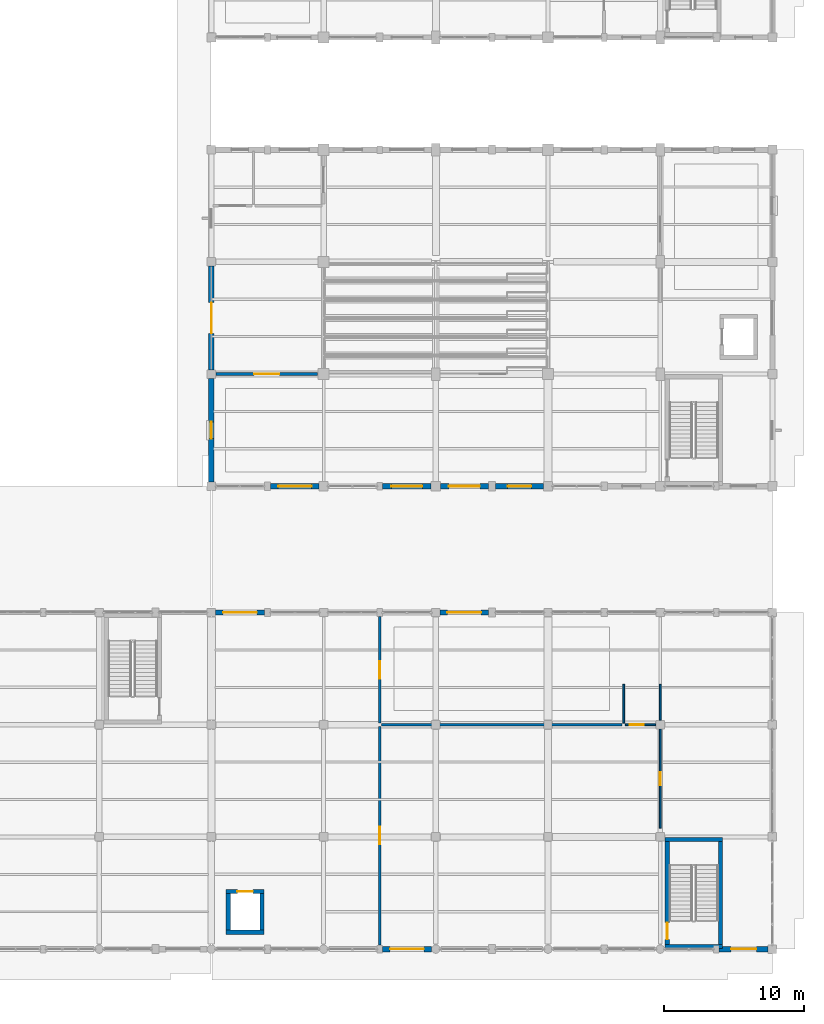
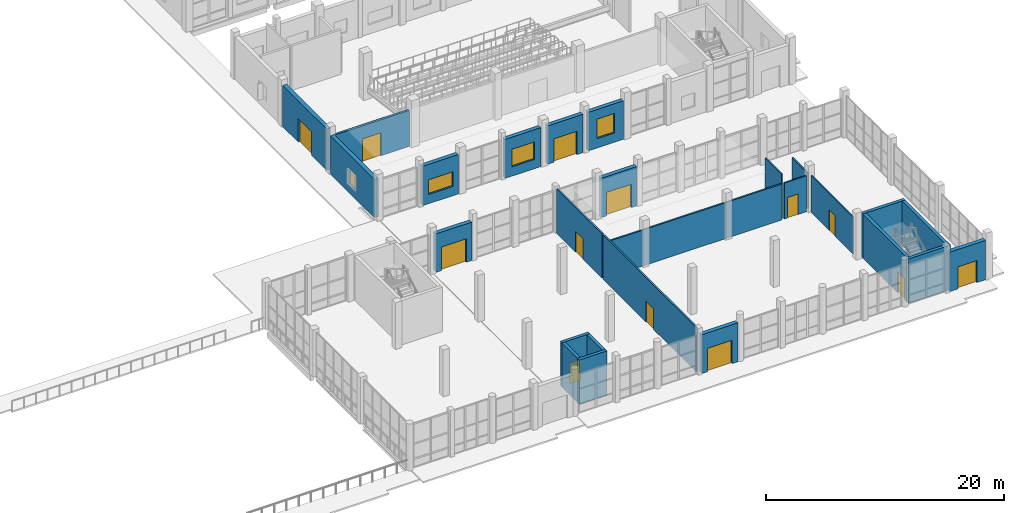
# One storey, part 128 of 156: 26 walls, 13 doors, 4 windows, 17 openings.
"""IFC4 building model written with IfcOpenShell, lengths in metres."""

from ifc_helpers import new_model, si_unit, direction, frame, frame_2d, origin, place, context, subcontext, project, spatial, rectangle, extrude, material, layer, layer_set, type_object, element, fill, save


model = new_model("IFC4")

# Units and contexts
model_context = context("Model", 3, precision=1e-05, world=origin(), true_north=direction((0.0, 1.0)))
body_context = subcontext(model_context, "Body", "Model", "MODEL_VIEW")
ifc_project = project(units=[si_unit("LENGTHUNIT", "METRE"), si_unit("AREAUNIT", "SQUARE_METRE"), si_unit("VOLUMEUNIT", "CUBIC_METRE"), si_unit("PLANEANGLEUNIT", "RADIAN"), si_unit("MASSUNIT", "GRAM", prefix="KILO")], contexts=[model_context])

# Site, building, storey
site_placement = place(None, origin())
site = spatial("IfcSite", under=ifc_project, at=site_placement, CompositionType="ELEMENT")
building_placement = place(site_placement, origin())
building = spatial("IfcBuilding", under=site, at=building_placement, Name="Luwemba Playhouse", CompositionType="ELEMENT")
storey_placement = place(building_placement, origin())
storey = spatial("IfcBuildingStorey", under=building, at=storey_placement, Name="L00", CompositionType="ELEMENT", Elevation=0.0)

# Wall, opening, window
ifc_material_1 = material(Name="Clay facing brick obra vista masonry", Category="masonry")
ifc_layer_1 = layer(ifc_material_1, 0.3798828125)
ifc_layer_set_1 = layer_set([ifc_layer_1], Name="Clay facing brick obra vista masonry")
wall_type_1 = type_object("IfcWallType", Name="WAL-BRK-380", PredefinedType="SOLIDWALL", material=ifc_layer_set_1)
wall_1_placement = place(storey_placement, frame((132.0, 36.300048828125, 0.0), z_axis=(0.0, 0.0, 1.0), x_axis=(0.0, 1.0, 0.0)))
wall_1 = element("IfcWall", 1, at=wall_1_placement, inside=storey, type_object=wall_type_1, Name="L00 V3 exterior facade wall 0028", PredefinedType="SOLIDWALL", context=body_context, shape_type="SweptSolid", body=[
    extrude(rectangle(XDim=7.39990234375, YDim=0.3798828125, at=frame_2d((3.699951171875, 0.0))), origin(), (0.0, 0.0, 1.0), 3.93505859375),
])
opening_1_placement = place(wall_1_placement, frame((3.10009765625, 0.0, 0.949951171875)))
opening_1 = element("IfcOpeningElement", 2, at=opening_1_placement, cuts=wall_1, Name="Opening WN-08", PredefinedType="OPENING", context=body_context, shape_type="SweptSolid", body=[
    extrude(rectangle(XDim=1.199951171875, YDim=1.5, at=frame_2d((0.60009765625, 0.75))), frame((0.0, 0.199951171875, 0.0), z_axis=(0.0, -1.0, 0.0), x_axis=(1.0, 0.0, 0.0)), (0.0, 0.0, 1.0), 0.39990234375),
])
ifc_material_2 = material(Name="Solar-control double glazing in aluminium frame", Category="aluminium")
window_type_1 = type_object("IfcWindowType", Name="WIN-WN-08", PartitioningType="SINGLE_PANEL", PredefinedType="WINDOW", material=ifc_material_2)
window_1_placement = place(opening_1_placement, origin())
window_1 = element("IfcWindow", 3, at=window_1_placement, inside=storey, type_object=window_type_1, Name="L00 V3 scheduled window 0013", OverallHeight=1.5, OverallWidth=1.199951171875, PartitioningType="SINGLE_PANEL", PredefinedType="WINDOW", context=body_context, shape_type="SweptSolid", body=[
    extrude(rectangle(XDim=1.199951171875, YDim=1.5, at=frame_2d((0.60009765625, 0.75))), frame((0.0, 0.030029296875, 0.0), z_axis=(0.0, -1.0, 0.0), x_axis=(1.0, 0.0, 0.0)), (0.0, 0.0, 1.0), 0.06005859375),
])
fill(opening_1, window_1)

# Wall, opening, door
wall_2_placement = place(storey_placement, frame((132.0, 44.300048828125, 0.0), z_axis=(0.0, 0.0, 1.0), x_axis=(0.0, 1.0, 0.0)))
wall_2 = element("IfcWall", 4, at=wall_2_placement, inside=storey, type_object=wall_type_1, Name="L00 V3 exterior facade wall 0029", PredefinedType="SOLIDWALL", context=body_context, shape_type="SweptSolid", body=[
    extrude(rectangle(XDim=7.39990234375, YDim=0.3798828125, at=frame_2d((3.699951171875, 0.0))), origin(), (0.0, 0.0, 1.0), 4.235107421875),
])
opening_2_placement = place(wall_2_placement, frame((2.60009765625, 0.0, 0.0)))
opening_2 = element("IfcOpeningElement", 5, at=opening_2_placement, cuts=wall_2, Name="Opening E10", PredefinedType="OPENING", context=body_context, shape_type="SweptSolid", body=[
    extrude(rectangle(XDim=2.199951171875, YDim=2.39990234375, at=frame_2d((1.10009765625, 1.199951171875))), frame((0.0, 0.199951171875, 0.0), z_axis=(0.0, -1.0, 0.0), x_axis=(1.0, 0.0, 0.0)), (0.0, 0.0, 1.0), 0.39990234375),
])
ifc_material_3 = material(Name="Architectural bronze-anodised aluminium and glazed leaf", Category="aluminium")
door_type_1 = type_object("IfcDoorType", Name="DR-EXIT-220", OperationType="NOTDEFINED", PredefinedType="DOOR", material=ifc_material_3)
door_1_placement = place(opening_2_placement, origin())
door_1 = element("IfcDoor", 6, at=door_1_placement, inside=storey, type_object=door_type_1, Name="Studio Theatre cloister final exit E10", OperationType="DOUBLE_DOOR_SINGLE_SWING", OverallHeight=2.39990234375, OverallWidth=2.199951171875, PredefinedType="DOOR", context=body_context, shape_type="SweptSolid", body=[
    extrude(rectangle(XDim=2.199951171875, YDim=2.39990234375, at=frame_2d((1.10009765625, 1.199951171875))), frame((0.0, 0.02490234375, 0.0), z_axis=(0.0, -1.0, 0.0), x_axis=(1.0, 0.0, 0.0)), (0.0, 0.0, 1.0), 0.050048828125),
])
fill(opening_2, door_1)

# Wall, opening, window
wall_3_placement = place(storey_placement, frame((155.675048828125, 36.0, 0.0), z_axis=(0.0, 0.0, 1.0), x_axis=(-1.0, 0.0, 0.0)))
wall_3 = element("IfcWall", 7, at=wall_3_placement, inside=storey, type_object=wall_type_1, Name="L00 V3 exterior facade wall 0046", PredefinedType="SOLIDWALL", context=body_context, shape_type="SweptSolid", body=[
    extrude(rectangle(XDim=3.425048828125, YDim=0.3798828125, at=frame_2d((1.71240234375, 0.0))), origin(), (0.0, 0.0, 1.0), 3.93505859375),
])
opening_3_placement = place(wall_3_placement, frame((0.862548828125, 0.0, 0.949951171875)))
opening_3 = element("IfcOpeningElement", 8, at=opening_3_placement, cuts=wall_3, Name="Opening WN-20", PredefinedType="OPENING", context=body_context, shape_type="SweptSolid", body=[
    extrude(rectangle(XDim=1.699951171875, YDim=2.0, at=frame_2d((0.85009765625, 1.0))), frame((0.0, 0.199951171875, 0.0), z_axis=(0.0, -1.0, 0.0), x_axis=(1.0, 0.0, 0.0)), (0.0, 0.0, 1.0), 0.39990234375),
])
window_type_2 = type_object("IfcWindowType", Name="WIN-WN-20", PartitioningType="DOUBLE_PANEL_VERTICAL", PredefinedType="WINDOW", material=ifc_material_2)
window_2_placement = place(opening_3_placement, origin())
window_2 = element("IfcWindow", 9, at=window_2_placement, inside=storey, type_object=window_type_2, Name="L00 V3 scheduled window 0028", OverallHeight=2.0, OverallWidth=1.699951171875, PartitioningType="DOUBLE_PANEL_VERTICAL", PredefinedType="WINDOW", context=body_context, shape_type="SweptSolid", body=[
    extrude(rectangle(XDim=1.699951171875, YDim=2.0, at=frame_2d((0.85009765625, 1.0))), frame((0.0, 0.030029296875, 0.0), z_axis=(0.0, -1.0, 0.0), x_axis=(1.0, 0.0, 0.0)), (0.0, 0.0, 1.0), 0.06005859375),
])
fill(opening_3, window_2)

# Wall, opening, door
wall_4_placement = place(storey_placement, frame((151.75, 36.0, 0.0), z_axis=(0.0, 0.0, 1.0), x_axis=(-1.0, 0.0, 0.0)))
wall_4 = element("IfcWall", 10, at=wall_4_placement, inside=storey, type_object=wall_type_1, Name="L00 V3 exterior facade wall 0047", PredefinedType="SOLIDWALL", context=body_context, shape_type="SweptSolid", body=[
    extrude(rectangle(XDim=3.425048828125, YDim=0.3798828125, at=frame_2d((1.71240234375, 0.0))), origin(), (0.0, 0.0, 1.0), 3.93505859375),
])
opening_4_placement = place(wall_4_placement, frame((0.612548828125, 0.0, 0.0)))
opening_4 = element("IfcOpeningElement", 11, at=opening_4_placement, cuts=wall_4, Name="Opening E11", PredefinedType="OPENING", context=body_context, shape_type="SweptSolid", body=[
    extrude(rectangle(XDim=2.199951171875, YDim=2.39990234375, at=frame_2d((1.10009765625, 1.199951171875))), frame((0.0, 0.199951171875, 0.0), z_axis=(0.0, -1.0, 0.0), x_axis=(1.0, 0.0, 0.0)), (0.0, 0.0, 1.0), 0.39990234375),
])
door_2_placement = place(opening_4_placement, origin())
door_2 = element("IfcDoor", 12, at=door_2_placement, inside=storey, type_object=door_type_1, Name="Studio Theatre south final exit E11", OperationType="DOUBLE_DOOR_SINGLE_SWING", OverallHeight=2.39990234375, OverallWidth=2.199951171875, PredefinedType="DOOR", context=body_context, shape_type="SweptSolid", body=[
    extrude(rectangle(XDim=2.199951171875, YDim=2.39990234375, at=frame_2d((1.10009765625, 1.199951171875))), frame((0.0, 0.02490234375, 0.0), z_axis=(0.0, -1.0, 0.0), x_axis=(1.0, 0.0, 0.0)), (0.0, 0.0, 1.0), 0.050048828125),
])
fill(opening_4, door_2)

# Wall, opening, window
wall_5_placement = place(storey_placement, frame((147.675048828125, 36.0, 0.0), z_axis=(0.0, 0.0, 1.0), x_axis=(-1.0, 0.0, 0.0)))
wall_5 = element("IfcWall", 13, at=wall_5_placement, inside=storey, type_object=wall_type_1, Name="L00 V3 exterior facade wall 0048", PredefinedType="SOLIDWALL", context=body_context, shape_type="SweptSolid", body=[
    extrude(rectangle(XDim=3.47509765625, YDim=0.3798828125, at=frame_2d((1.737548828125, 0.0))), origin(), (0.0, 0.0, 1.0), 3.985107421875),
])
opening_5_placement = place(wall_5_placement, frame((0.637451171875, 0.0, 0.949951171875)))
opening_5 = element("IfcOpeningElement", 14, at=opening_5_placement, cuts=wall_5, Name="Opening WN-06", PredefinedType="OPENING", context=body_context, shape_type="SweptSolid", body=[
    extrude(rectangle(XDim=2.199951171875, YDim=1.800048828125, at=frame_2d((1.10009765625, 0.89990234375))), frame((0.0, 0.199951171875, 0.0), z_axis=(0.0, -1.0, 0.0), x_axis=(1.0, 0.0, 0.0)), (0.0, 0.0, 1.0), 0.39990234375),
])
window_type_3 = type_object("IfcWindowType", Name="WIN-WN-06", PartitioningType="TRIPLE_PANEL_VERTICAL", PredefinedType="WINDOW", material=ifc_material_2)
window_3_placement = place(opening_5_placement, origin())
window_3 = element("IfcWindow", 15, at=window_3_placement, inside=storey, type_object=window_type_3, Name="L00 V3 scheduled window 0029", OverallHeight=1.800048828125, OverallWidth=2.199951171875, PartitioningType="TRIPLE_PANEL_VERTICAL", PredefinedType="WINDOW", context=body_context, shape_type="SweptSolid", body=[
    extrude(rectangle(XDim=2.199951171875, YDim=1.800048828125, at=frame_2d((1.10009765625, 0.89990234375))), frame((0.0, 0.030029296875, 0.0), z_axis=(0.0, -1.0, 0.0), x_axis=(1.0, 0.0, 0.0)), (0.0, 0.0, 1.0), 0.06005859375),
])
fill(opening_5, window_3)

wall_6_placement = place(storey_placement, frame((139.675048828125, 36.0, 0.0), z_axis=(0.0, 0.0, 1.0), x_axis=(-1.0, 0.0, 0.0)))
wall_6 = element("IfcWall", 16, at=wall_6_placement, inside=storey, type_object=wall_type_1, Name="L00 V3 exterior facade wall 0049", PredefinedType="SOLIDWALL", context=body_context, shape_type="SweptSolid", body=[
    extrude(rectangle(XDim=3.449951171875, YDim=0.3798828125, at=frame_2d((1.72509765625, 0.0))), origin(), (0.0, 0.0, 1.0), 4.034912109375),
])
opening_6_placement = place(wall_6_placement, frame((0.52490234375, 0.0, 0.949951171875)))
opening_6 = element("IfcOpeningElement", 17, at=opening_6_placement, cuts=wall_6, Name="Opening WN-12", PredefinedType="OPENING", context=body_context, shape_type="SweptSolid", body=[
    extrude(rectangle(XDim=2.39990234375, YDim=1.5, at=frame_2d((1.199951171875, 0.75))), frame((0.0, 0.199951171875, 0.0), z_axis=(0.0, -1.0, 0.0), x_axis=(1.0, 0.0, 0.0)), (0.0, 0.0, 1.0), 0.39990234375),
])
window_type_4 = type_object("IfcWindowType", Name="WIN-WN-12", PartitioningType="TRIPLE_PANEL_VERTICAL", PredefinedType="WINDOW", material=ifc_material_2)
window_4_placement = place(opening_6_placement, origin())
window_4 = element("IfcWindow", 18, at=window_4_placement, inside=storey, type_object=window_type_4, Name="L00 V3 scheduled window 0030", OverallHeight=1.5, OverallWidth=2.39990234375, PartitioningType="TRIPLE_PANEL_VERTICAL", PredefinedType="WINDOW", context=body_context, shape_type="SweptSolid", body=[
    extrude(rectangle(XDim=2.39990234375, YDim=1.5, at=frame_2d((1.199951171875, 0.75))), frame((0.0, 0.030029296875, 0.0), z_axis=(0.0, -1.0, 0.0), x_axis=(1.0, 0.0, 0.0)), (0.0, 0.0, 1.0), 0.06005859375),
])
fill(opening_6, window_4)

# Wall, opening, door
wall_7_placement = place(storey_placement, frame((132.300048828125, 27.0, 0.0), z_axis=(0.0, 0.0, 1.0), x_axis=(1.0, 0.0, 0.0)))
wall_7 = element("IfcWall", 19, at=wall_7_placement, inside=storey, type_object=wall_type_1, Name="L00 V5E exterior facade wall 0075", PredefinedType="SOLIDWALL", context=body_context, shape_type="SweptSolid", body=[
    extrude(rectangle(XDim=3.474853515625, YDim=0.3798828125, at=frame_2d((1.7373046875, 0.0))), origin(), (0.0, 0.0, 1.0), 3.93505859375),
])
opening_7_placement = place(wall_7_placement, frame((0.53759765625, 0.0, 0.0)))
opening_7 = element("IfcOpeningElement", 20, at=opening_7_placement, cuts=wall_7, Name="Opening E26", PredefinedType="OPENING", context=body_context, shape_type="SweptSolid", body=[
    extrude(rectangle(XDim=2.39990234375, YDim=2.39990234375, at=frame_2d((1.199951171875, 1.199951171875))), frame((0.0, 0.199951171875, 0.0), z_axis=(0.0, -1.0, 0.0), x_axis=(1.0, 0.0, 0.0)), (0.0, 0.0, 1.0), 0.39990234375),
])
door_type_2 = type_object("IfcDoorType", Name="DR-EXIT-240", OperationType="NOTDEFINED", PredefinedType="DOOR", material=ifc_material_3)
door_3_placement = place(opening_7_placement, origin())
door_3 = element("IfcDoor", 21, at=door_3_placement, inside=storey, type_object=door_type_2, Name="Civic Cafe north cloister final exit E26", OperationType="DOUBLE_DOOR_SINGLE_SWING", OverallHeight=2.39990234375, OverallWidth=2.39990234375, PredefinedType="DOOR", context=body_context, shape_type="SweptSolid", body=[
    extrude(rectangle(XDim=2.39990234375, YDim=2.39990234375, at=frame_2d((1.199951171875, 1.199951171875))), frame((0.0, 0.02490234375, 0.0), z_axis=(0.0, -1.0, 0.0), x_axis=(1.0, 0.0, 0.0)), (0.0, 0.0, 1.0), 0.050048828125),
])
fill(opening_7, door_3)

wall_8_placement = place(storey_placement, frame((148.300048828125, 27.0, 0.0), z_axis=(0.0, 0.0, 1.0), x_axis=(1.0, 0.0, 0.0)))
wall_8 = element("IfcWall", 22, at=wall_8_placement, inside=storey, type_object=wall_type_1, Name="L00 V5E exterior facade wall 0076", PredefinedType="SOLIDWALL", context=body_context, shape_type="SweptSolid", body=[
    extrude(rectangle(XDim=3.449951171875, YDim=0.3798828125, at=frame_2d((1.72509765625, 0.0))), origin(), (0.0, 0.0, 1.0), 4.034912109375),
])
opening_8_placement = place(wall_8_placement, frame((0.52490234375, 0.0, 0.0)))
opening_8 = element("IfcOpeningElement", 23, at=opening_8_placement, cuts=wall_8, Name="Opening E27", PredefinedType="OPENING", context=body_context, shape_type="SweptSolid", body=[
    extrude(rectangle(XDim=2.39990234375, YDim=2.39990234375, at=frame_2d((1.199951171875, 1.199951171875))), frame((0.0, 0.199951171875, 0.0), z_axis=(0.0, -1.0, 0.0), x_axis=(1.0, 0.0, 0.0)), (0.0, 0.0, 1.0), 0.39990234375),
])
door_4_placement = place(opening_8_placement, origin())
door_4 = element("IfcDoor", 24, at=door_4_placement, inside=storey, type_object=door_type_2, Name="Bookshop north cloister final exit E27", OperationType="DOUBLE_DOOR_SINGLE_SWING", OverallHeight=2.39990234375, OverallWidth=2.39990234375, PredefinedType="DOOR", context=body_context, shape_type="SweptSolid", body=[
    extrude(rectangle(XDim=2.39990234375, YDim=2.39990234375, at=frame_2d((1.199951171875, 1.199951171875))), frame((0.0, 0.02490234375, 0.0), z_axis=(0.0, -1.0, 0.0), x_axis=(1.0, 0.0, 0.0)), (0.0, 0.0, 1.0), 0.050048828125),
])
fill(opening_8, door_4)

wall_9_placement = place(storey_placement, frame((171.699951171875, 3.0, 0.0), z_axis=(0.0, 0.0, 1.0), x_axis=(-1.0, 0.0, 0.0)))
wall_9 = element("IfcWall", 25, at=wall_9_placement, inside=storey, type_object=wall_type_1, Name="L00 V5E exterior facade wall 0077", PredefinedType="SOLIDWALL", context=body_context, shape_type="SweptSolid", body=[
    extrude(rectangle(XDim=3.5, YDim=0.3798828125, at=frame_2d((1.75, 0.0))), origin(), (0.0, 0.0, 1.0), 4.034912109375),
])
opening_9_placement = place(wall_9_placement, frame((0.85009765625, 0.0, 0.0)))
opening_9 = element("IfcOpeningElement", 26, at=opening_9_placement, cuts=wall_9, Name="Opening E19", PredefinedType="OPENING", context=body_context, shape_type="SweptSolid", body=[
    extrude(rectangle(XDim=1.800048828125, YDim=2.25, at=frame_2d((0.89990234375, 1.125))), frame((0.0, 0.199951171875, 0.0), z_axis=(0.0, -1.0, 0.0), x_axis=(1.0, 0.0, 0.0)), (0.0, 0.0, 1.0), 0.39990234375),
])
door_type_3 = type_object("IfcDoorType", Name="DR-EXIT-180", OperationType="NOTDEFINED", PredefinedType="DOOR", material=ifc_material_3)
door_5_placement = place(opening_9_placement, origin())
door_5 = element("IfcDoor", 27, at=door_5_placement, inside=storey, type_object=door_type_3, Name="Stair ST-05 final exit discharge door", OperationType="DOUBLE_DOOR_SINGLE_SWING", OverallHeight=2.25, OverallWidth=1.800048828125, PredefinedType="DOOR", context=body_context, shape_type="SweptSolid", body=[
    extrude(rectangle(XDim=1.800048828125, YDim=2.25, at=frame_2d((0.89990234375, 1.125))), frame((0.0, 0.02490234375, 0.0), z_axis=(0.0, -1.0, 0.0), x_axis=(1.0, 0.0, 0.0)), (0.0, 0.0, 1.0), 0.050048828125),
])
fill(opening_9, door_5)

wall_10_placement = place(storey_placement, frame((147.699951171875, 3.0, 0.0), z_axis=(0.0, 0.0, 1.0), x_axis=(-1.0, 0.0, 0.0)))
wall_10 = element("IfcWall", 28, at=wall_10_placement, inside=storey, type_object=wall_type_1, Name="L00 V5E exterior facade wall 0078", PredefinedType="SOLIDWALL", context=body_context, shape_type="SweptSolid", body=[
    extrude(rectangle(XDim=3.5, YDim=0.3798828125, at=frame_2d((1.75, 0.0))), origin(), (0.0, 0.0, 1.0), 3.985107421875),
])
opening_10_placement = place(wall_10_placement, frame((0.550048828125, 0.0, 0.0)))
opening_10 = element("IfcOpeningElement", 29, at=opening_10_placement, cuts=wall_10, Name="Opening E09", PredefinedType="OPENING", context=body_context, shape_type="SweptSolid", body=[
    extrude(rectangle(XDim=2.39990234375, YDim=2.39990234375, at=frame_2d((1.199951171875, 1.199951171875))), frame((0.0, 0.199951171875, 0.0), z_axis=(0.0, -1.0, 0.0), x_axis=(1.0, 0.0, 0.0)), (0.0, 0.0, 1.0), 0.39990234375),
])
door_6_placement = place(opening_10_placement, origin())
door_6 = element("IfcDoor", 30, at=door_6_placement, inside=storey, type_object=door_type_2, Name="Civic Cafe south boulevard final exit E09", OperationType="DOUBLE_DOOR_SINGLE_SWING", OverallHeight=2.39990234375, OverallWidth=2.39990234375, PredefinedType="DOOR", context=body_context, shape_type="SweptSolid", body=[
    extrude(rectangle(XDim=2.39990234375, YDim=2.39990234375, at=frame_2d((1.199951171875, 1.199951171875))), frame((0.0, 0.02490234375, 0.0), z_axis=(0.0, -1.0, 0.0), x_axis=(1.0, 0.0, 0.0)), (0.0, 0.0, 1.0), 0.050048828125),
])
fill(opening_10, door_6)

# Walls
ifc_material_4 = material(Name="Concrete C40/50", Category="concrete")
ifc_layer_2 = layer(ifc_material_4, 0.300048828125)
ifc_layer_set_2 = layer_set([ifc_layer_2], Name="Concrete C40/50")
wall_type_2 = type_object("IfcWallType", Name="WAL-CORE-300", PredefinedType="SHEAR", material=ifc_layer_set_2)
for number, where, z_axis, x_axis, name in (
    (31, (164.35009765625, 3.18994140625, 0.0), (0.0, 0.0, 1.0), (1.0, 0.0, 0.0), "L00 ST-05 stair core wall S"),
    (32, (168.449951171875, 10.81005859375, 0.0), (0.0, 0.0, 1.0), (-1.0, 0.0, 0.0), "L00 ST-05 stair core wall N"),
):
    element("IfcWall", number, at=place(storey_placement, frame(where, z_axis=z_axis, x_axis=x_axis)), inside=storey, type_object=wall_type_2, Name=name, PredefinedType="SHEAR", context=body_context, shape_type="SweptSolid", body=[
        extrude(rectangle(XDim=4.099853515625, YDim=0.300048828125, at=frame_2d((2.0498046875, 0.0))), origin(), (0.0, 0.0, 1.0), 4.550048828125),
    ])

# Wall, opening, door
wall_11_placement = place(storey_placement, frame((164.5, 3.340087890625, 0.0), z_axis=(0.0, 0.0, 1.0), x_axis=(0.0, 1.0, 0.0)))
wall_11 = element("IfcWall", 33, at=wall_11_placement, inside=storey, type_object=wall_type_2, Name="L00 ST-05 stair core wall W", PredefinedType="SHEAR", context=body_context, shape_type="SweptSolid", body=[
    extrude(rectangle(XDim=7.31982421875, YDim=0.300048828125, at=frame_2d((3.659912109375, 0.0))), origin(), (0.0, 0.0, 1.0), 4.550048828125),
])
opening_11_placement = place(wall_11_placement, frame((0.35009765625, 0.0, 0.0)))
opening_11 = element("IfcOpeningElement", 34, at=opening_11_placement, cuts=wall_11, Name="Opening D-STAIR3", PredefinedType="OPENING", context=body_context, shape_type="SweptSolid", body=[
    extrude(rectangle(XDim=1.199951171875, YDim=2.14990234375, at=frame_2d((0.60009765625, 1.074951171875))), frame((0.0, 0.159912109375, 0.0), z_axis=(0.0, -1.0, 0.0), x_axis=(1.0, 0.0, 0.0)), (0.0, 0.0, 1.0), 0.320068359375),
])
ifc_material_5 = material(Name="Hardwood acoustic fire door leaf", Category="wood")
door_type_4 = type_object("IfcDoorType", Name="DR-STAIR-120", OperationType="NOTDEFINED", PredefinedType="DOOR", material=ifc_material_5)
door_7_placement = place(opening_11_placement, origin())
door_7 = element("IfcDoor", 35, at=door_7_placement, inside=storey, type_object=door_type_4, Name="L00 ST-05 protected stair entry door", OperationType="SINGLE_SWING_RIGHT", OverallHeight=2.14990234375, OverallWidth=1.199951171875, PredefinedType="DOOR", context=body_context, shape_type="SweptSolid", body=[
    extrude(rectangle(XDim=1.199951171875, YDim=2.14990234375, at=frame_2d((0.60009765625, 1.074951171875))), frame((0.0, 0.02490234375, 0.0), z_axis=(0.0, -1.0, 0.0), x_axis=(1.0, 0.0, 0.0)), (0.0, 0.0, 1.0), 0.050048828125),
])
fill(opening_11, door_7)

# Walls
wall_12_placement = place(storey_placement, frame((168.300048828125, 10.659912109375, 0.0), z_axis=(0.0, 0.0, 1.0), x_axis=(0.0, -1.0, 0.0)))
element("IfcWall", 36, at=wall_12_placement, inside=storey, type_object=wall_type_2, Name="L00 ST-05 stair core wall E", PredefinedType="SHEAR", context=body_context, shape_type="SweptSolid", body=[
    extrude(rectangle(XDim=7.31982421875, YDim=0.300048828125, at=frame_2d((3.659912109375, 0.0))), origin(), (0.0, 0.0, 1.0), 4.550048828125),
])
wall_13_placement = place(storey_placement, frame((133.050048828125, 4.199951171875, 0.0), z_axis=(0.0, 0.0, 1.0), x_axis=(1.0, 0.0, 0.0)))
element("IfcWall", 37, at=wall_13_placement, inside=storey, type_object=wall_type_2, Name="L00 Lift LF-P5 shaft wall S", PredefinedType="SHEAR", context=body_context, shape_type="SweptSolid", body=[
    extrude(rectangle(XDim=2.699951171875, YDim=0.300048828125, at=frame_2d((1.35009765625, 0.0))), origin(), (0.0, 0.0, 1.0), 4.550048828125),
])

# Wall, opening, door
wall_14_placement = place(storey_placement, frame((135.75, 7.10009765625, 0.0), z_axis=(0.0, 0.0, 1.0), x_axis=(-1.0, 0.0, 0.0)))
wall_14 = element("IfcWall", 38, at=wall_14_placement, inside=storey, type_object=wall_type_2, Name="L00 Lift LF-P5 shaft wall N", PredefinedType="SHEAR", context=body_context, shape_type="SweptSolid", body=[
    extrude(rectangle(XDim=2.699951171875, YDim=0.300048828125, at=frame_2d((1.35009765625, 0.0))), origin(), (0.0, 0.0, 1.0), 4.550048828125),
])
opening_12_placement = place(wall_14_placement, frame((0.800048828125, 0.0, 0.0)))
opening_12 = element("IfcOpeningElement", 39, at=opening_12_placement, cuts=wall_14, Name="Opening LD-01", PredefinedType="OPENING", context=body_context, shape_type="SweptSolid", body=[
    extrude(rectangle(XDim=1.10009765625, YDim=2.14990234375, at=frame_2d((0.550048828125, 1.074951171875))), frame((0.0, 0.159912109375, 0.0), z_axis=(0.0, -1.0, 0.0), x_axis=(1.0, 0.0, 0.0)), (0.0, 0.0, 1.0), 0.320068359375),
])
ifc_material_6 = material(Name="Stainless steel lift landing doors", Category="steel")
door_type_5 = type_object("IfcDoorType", Name="DR-LIFT-110", OperationType="NOTDEFINED", PredefinedType="DOOR", material=ifc_material_6)
door_8_placement = place(opening_12_placement, origin())
door_8 = element("IfcDoor", 40, at=door_8_placement, inside=storey, type_object=door_type_5, Name="L00 Lift LF-P5 landing door", OperationType="DOUBLE_DOOR_SLIDING", OverallHeight=2.14990234375, OverallWidth=1.10009765625, PredefinedType="DOOR", context=body_context, shape_type="SweptSolid", body=[
    extrude(rectangle(XDim=1.10009765625, YDim=2.14990234375, at=frame_2d((0.550048828125, 1.074951171875))), frame((0.0, 0.02490234375, 0.0), z_axis=(0.0, -1.0, 0.0), x_axis=(1.0, 0.0, 0.0)), (0.0, 0.0, 1.0), 0.050048828125),
])
fill(opening_12, door_8)

# Walls
for number, where, z_axis, x_axis, name in (
    (41, (133.199951171875, 4.35009765625, 0.0), (0.0, 0.0, 1.0), (0.0, 1.0, 0.0), "L00 Lift LF-P5 shaft wall W"),
    (42, (135.60009765625, 6.949951171875, 0.0), (0.0, 0.0, 1.0), (0.0, -1.0, 0.0), "L00 Lift LF-P5 shaft wall E"),
):
    element("IfcWall", number, at=place(storey_placement, frame(where, z_axis=z_axis, x_axis=x_axis)), inside=storey, type_object=wall_type_2, Name=name, PredefinedType="SHEAR", context=body_context, shape_type="SweptSolid", body=[
        extrude(rectangle(XDim=2.599853515625, YDim=0.300048828125, at=frame_2d((1.2998046875, 0.0))), origin(), (0.0, 0.0, 1.0), 4.550048828125),
    ])

# Wall, opening, door
ifc_material_7 = material(Name="Moisture-resistant sanitary partition", Category="gypsum")
ifc_layer_3 = layer(ifc_material_7, 0.1201171875)
ifc_layer_set_3 = layer_set([ifc_layer_3], Name="Moisture-resistant sanitary partition")
wall_type_3 = type_object("IfcWallType", Name="WAL-INT-120", PredefinedType="PARTITIONING", material=ifc_layer_set_3)
wall_15_placement = place(storey_placement, frame((161.52001953125, 19.0, 0.0), z_axis=(0.0, 0.0, 1.0), x_axis=(1.0, 0.0, 0.0)))
wall_15 = element("IfcWall", 43, at=wall_15_placement, inside=storey, type_object=wall_type_3, Name="L00 V5E interior partition 0091", PredefinedType="PARTITIONING", context=body_context, shape_type="SweptSolid", body=[
    extrude(rectangle(XDim=2.159912109375, YDim=0.1201171875, at=frame_2d((1.080078125, 0.0))), origin(), (0.0, 0.0, 1.0), 3.68505859375),
])
opening_13_placement = place(wall_15_placement, frame((0.32080078125, 0.0, 0.0)))
opening_13 = element("IfcOpeningElement", 44, at=opening_13_placement, cuts=wall_15, Name="Opening D-AWC", PredefinedType="OPENING", context=body_context, shape_type="SweptSolid", body=[
    extrude(rectangle(XDim=1.0, YDim=2.10009765625, at=frame_2d((0.5, 1.050048828125))), frame((0.0, 0.070068359375, 0.0), z_axis=(0.0, -1.0, 0.0), x_axis=(1.0, 0.0, 0.0)), (0.0, 0.0, 1.0), 0.14013671875),
])
ifc_material_8 = material(Name="Accessible WC outward-assisted timber door", Category="wood")
door_type_6 = type_object("IfcDoorType", Name="DR-AWC-100", OperationType="NOTDEFINED", PredefinedType="DOOR", material=ifc_material_8)
door_9_placement = place(opening_13_placement, origin())
door_9 = element("IfcDoor", 45, at=door_9_placement, inside=storey, type_object=door_type_6, Name="L00 Performing Arts and Music Bookshop to Civic Cafe Accessible WC door", OperationType="SINGLE_SWING_RIGHT", OverallHeight=2.10009765625, OverallWidth=1.0, PredefinedType="DOOR", context=body_context, shape_type="SweptSolid", body=[
    extrude(rectangle(XDim=1.0, YDim=2.10009765625, at=frame_2d((0.5, 1.050048828125))), frame((0.0, 0.02490234375, 0.0), z_axis=(0.0, -1.0, 0.0), x_axis=(1.0, 0.0, 0.0)), (0.0, 0.0, 1.0), 0.050048828125),
])
fill(opening_13, door_9)

wall_16_placement = place(storey_placement, frame((164.0, 11.6201171875, 0.0), z_axis=(0.0, 0.0, 1.0), x_axis=(0.0, 1.0, 0.0)))
wall_16 = element("IfcWall", 46, at=wall_16_placement, inside=storey, type_object=wall_type_3, Name="L00 V5E interior partition 0092", PredefinedType="PARTITIONING", context=body_context, shape_type="SweptSolid", body=[
    extrude(rectangle(XDim=7.059814453125, YDim=0.1201171875, at=frame_2d((3.52978515625, 0.0))), origin(), (0.0, 0.0, 1.0), 3.784912109375),
])
opening_14_placement = place(wall_16_placement, frame((3.054931640625, 0.0, 0.0)))
opening_14 = element("IfcOpeningElement", 47, at=opening_14_placement, cuts=wall_16, Name="Opening D-WC1", PredefinedType="OPENING", context=body_context, shape_type="SweptSolid", body=[
    extrude(rectangle(XDim=0.949951171875, YDim=2.10009765625, at=frame_2d((0.47509765625, 1.050048828125))), frame((0.0, 0.070068359375, 0.0), z_axis=(0.0, -1.0, 0.0), x_axis=(1.0, 0.0, 0.0)), (0.0, 0.0, 1.0), 0.14013671875),
])
ifc_material_9 = material(Name="Moisture-resistant laminate door", Category="wood")
door_type_7 = type_object("IfcDoorType", Name="DR-WC-095", OperationType="NOTDEFINED", PredefinedType="DOOR", material=ifc_material_9)
door_10_placement = place(opening_14_placement, origin())
door_10 = element("IfcDoor", 48, at=door_10_placement, inside=storey, type_object=door_type_7, Name="L00 Performing Arts and Music Bookshop to Civic Cafe Public Toilets door", OperationType="SINGLE_SWING_LEFT", OverallHeight=2.10009765625, OverallWidth=0.949951171875, PredefinedType="DOOR", context=body_context, shape_type="SweptSolid", body=[
    extrude(rectangle(XDim=0.949951171875, YDim=2.10009765625, at=frame_2d((0.47509765625, 1.050048828125))), frame((0.0, 0.02490234375, 0.0), z_axis=(0.0, -1.0, 0.0), x_axis=(1.0, 0.0, 0.0)), (0.0, 0.0, 1.0), 0.050048828125),
])
fill(opening_14, door_10)

# Walls
wall_17_placement = place(storey_placement, frame((161.39990234375, 19.1201171875, 0.0), z_axis=(0.0, 0.0, 1.0), x_axis=(0.0, 1.0, 0.0)))
element("IfcWall", 49, at=wall_17_placement, inside=storey, type_object=wall_type_3, Name="L00 V5E interior partition 0093", PredefinedType="PARTITIONING", context=body_context, shape_type="SweptSolid", body=[
    extrude(rectangle(XDim=2.759765625, YDim=0.1201171875, at=frame_2d((1.3798828125, 0.0))), origin(), (0.0, 0.0, 1.0), 4.550048828125),
])
wall_18_placement = place(storey_placement, frame((164.0, 19.320068359375, 0.0), z_axis=(0.0, 0.0, 1.0), x_axis=(0.0, 1.0, 0.0)))
element("IfcWall", 50, at=wall_18_placement, inside=storey, type_object=wall_type_3, Name="L00 V5E interior partition 0094", PredefinedType="PARTITIONING", context=body_context, shape_type="SweptSolid", body=[
    extrude(rectangle(XDim=2.559814453125, YDim=0.1201171875, at=frame_2d((1.27978515625, 0.0))), origin(), (0.0, 0.0, 1.0), 3.68505859375),
])

# Wall, opening, door
ifc_material_10 = material(Name="Acoustic gypsum stud partition", Category="gypsum")
ifc_layer_4 = layer(ifc_material_10, 0.14990234375)
ifc_layer_set_4 = layer_set([ifc_layer_4], Name="Acoustic gypsum stud partition")
wall_type_4 = type_object("IfcWallType", Name="WAL-INT-150", PredefinedType="PARTITIONING", material=ifc_layer_set_4)
wall_19_placement = place(storey_placement, frame((144.0, 3.294921875, 0.0), z_axis=(0.0, 0.0, 1.0), x_axis=(0.0, 1.0, 0.0)))
wall_19 = element("IfcWall", 51, at=wall_19_placement, inside=storey, type_object=wall_type_4, Name="L00 V5E interior partition 0088", PredefinedType="PARTITIONING", context=body_context, shape_type="SweptSolid", body=[
    extrude(rectangle(XDim=15.5849609375, YDim=0.14990234375, at=frame_2d((7.79248046875, 0.0))), origin(), (0.0, 0.0, 1.0), 4.550048828125),
])
opening_15_placement = place(wall_19_placement, frame((7.16748046875, 0.0, 0.0)))
opening_15 = element("IfcOpeningElement", 52, at=opening_15_placement, cuts=wall_19, Name="Opening D-IN1", PredefinedType="OPENING", context=body_context, shape_type="SweptSolid", body=[
    extrude(rectangle(XDim=1.25, YDim=2.14990234375, at=frame_2d((0.625, 1.074951171875))), frame((0.0, 0.0849609375, 0.0), z_axis=(0.0, -1.0, 0.0), x_axis=(1.0, 0.0, 0.0)), (0.0, 0.0, 1.0), 0.169921875),
])
ifc_material_11 = material(Name="Solid hardwood interior door", Category="wood")
door_type_8 = type_object("IfcDoorType", Name="DR-INT-125", OperationType="NOTDEFINED", PredefinedType="DOOR", material=ifc_material_11)
door_11_placement = place(opening_15_placement, origin())
door_11 = element("IfcDoor", 53, at=door_11_placement, inside=storey, type_object=door_type_8, Name="L00 Civic Theatre Cafe and Forecourt Brasserie to Performing Arts and Music Bookshop door", OperationType="SINGLE_SWING_RIGHT", OverallHeight=2.14990234375, OverallWidth=1.25, PredefinedType="DOOR", context=body_context, shape_type="SweptSolid", body=[
    extrude(rectangle(XDim=1.25, YDim=2.14990234375, at=frame_2d((0.625, 1.074951171875))), frame((0.0, 0.02490234375, 0.0), z_axis=(0.0, -1.0, 0.0), x_axis=(1.0, 0.0, 0.0)), (0.0, 0.0, 1.0), 0.050048828125),
])
fill(opening_15, door_11)

wall_20_placement = place(storey_placement, frame((144.0, 19.1201171875, 0.0), z_axis=(0.0, 0.0, 1.0), x_axis=(0.0, 1.0, 0.0)))
wall_20 = element("IfcWall", 54, at=wall_20_placement, inside=storey, type_object=wall_type_4, Name="L00 V5E interior partition 0089", PredefinedType="PARTITIONING", context=body_context, shape_type="SweptSolid", body=[
    extrude(rectangle(XDim=7.5849609375, YDim=0.14990234375, at=frame_2d((3.79248046875, 0.0))), origin(), (0.0, 0.0, 1.0), 4.550048828125),
])
opening_16_placement = place(wall_20_placement, frame((3.16748046875, 0.0, 0.0)))
opening_16 = element("IfcOpeningElement", 55, at=opening_16_placement, cuts=wall_20, Name="Opening D-IN1", PredefinedType="OPENING", context=body_context, shape_type="SweptSolid", body=[
    extrude(rectangle(XDim=1.25, YDim=2.14990234375, at=frame_2d((0.625, 1.074951171875))), frame((0.0, 0.0849609375, 0.0), z_axis=(0.0, -1.0, 0.0), x_axis=(1.0, 0.0, 0.0)), (0.0, 0.0, 1.0), 0.169921875),
])
door_12_placement = place(opening_16_placement, origin())
door_12 = element("IfcDoor", 56, at=door_12_placement, inside=storey, type_object=door_type_8, Name="L00 Civic Theatre Cafe and Forecourt Brasserie to Cafe Culinary Preparation Kitchen door", OperationType="SINGLE_SWING_LEFT", OverallHeight=2.14990234375, OverallWidth=1.25, PredefinedType="DOOR", context=body_context, shape_type="SweptSolid", body=[
    extrude(rectangle(XDim=1.25, YDim=2.14990234375, at=frame_2d((0.625, 1.074951171875))), frame((0.0, 0.02490234375, 0.0), z_axis=(0.0, -1.0, 0.0), x_axis=(1.0, 0.0, 0.0)), (0.0, 0.0, 1.0), 0.050048828125),
])
fill(opening_16, door_12)

# Wall
wall_21_placement = place(storey_placement, frame((144.1201171875, 19.0, 0.0), z_axis=(0.0, 0.0, 1.0), x_axis=(1.0, 0.0, 0.0)))
element("IfcWall", 57, at=wall_21_placement, inside=storey, type_object=wall_type_4, Name="L00 V5E interior partition 0090", PredefinedType="PARTITIONING", context=body_context, shape_type="SweptSolid", body=[
    extrude(rectangle(XDim=17.159912109375, YDim=0.14990234375, at=frame_2d((8.580078125, 0.0))), origin(), (0.0, 0.0, 1.0), 3.68505859375),
])

# Wall, opening, door
ifc_material_12 = material(Name="Clay acoustic masonry blockwork", Category="masonry")
ifc_layer_5 = layer(ifc_material_12, 0.199951171875)
ifc_layer_set_5 = layer_set([ifc_layer_5], Name="Clay acoustic masonry blockwork")
wall_type_5 = type_object("IfcWallType", Name="WAL-INT-200", PredefinedType="PARTITIONING", material=ifc_layer_set_5)
wall_22_placement = place(storey_placement, frame((132.320068359375, 44.0, 0.0), z_axis=(0.0, 0.0, 1.0), x_axis=(1.0, 0.0, 0.0)))
wall_22 = element("IfcWall", 58, at=wall_22_placement, inside=storey, type_object=wall_type_5, Name="L00 V3 interior partition 0077", PredefinedType="PARTITIONING", context=body_context, shape_type="SweptSolid", body=[
    extrude(rectangle(XDim=7.260009765625, YDim=0.199951171875, at=frame_2d((3.6298828125, 0.0))), origin(), (0.0, 0.0, 1.0), 3.68505859375),
])
opening_17_placement = place(wall_22_placement, frame((2.72998046875, 0.0, 0.0)))
opening_17 = element("IfcOpeningElement", 59, at=opening_17_placement, cuts=wall_22, Name="Opening D-AUD1", PredefinedType="OPENING", context=body_context, shape_type="SweptSolid", body=[
    extrude(rectangle(XDim=1.800048828125, YDim=2.35009765625, at=frame_2d((0.89990234375, 1.175048828125))), frame((0.0, 0.10986328125, 0.0), z_axis=(0.0, -1.0, 0.0), x_axis=(1.0, 0.0, 0.0)), (0.0, 0.0, 1.0), 0.219970703125),
])
ifc_material_13 = material(Name="Double acoustic timber theatre door", Category="wood")
door_type_9 = type_object("IfcDoorType", Name="DR-AUD-180", OperationType="NOTDEFINED", PredefinedType="DOOR", material=ifc_material_13)
door_13_placement = place(opening_17_placement, origin())
door_13 = element("IfcDoor", 60, at=door_13_placement, inside=storey, type_object=door_type_9, Name="L00 Studio Cloister Foyer to Studio Wing and Crossover door", OperationType="DOUBLE_DOOR_SINGLE_SWING", OverallHeight=2.35009765625, OverallWidth=1.800048828125, PredefinedType="DOOR", context=body_context, shape_type="SweptSolid", body=[
    extrude(rectangle(XDim=1.800048828125, YDim=2.35009765625, at=frame_2d((0.89990234375, 1.175048828125))), frame((0.0, 0.02490234375, 0.0), z_axis=(0.0, -1.0, 0.0), x_axis=(1.0, 0.0, 0.0)), (0.0, 0.0, 1.0), 0.050048828125),
])
fill(opening_17, door_13)

save(model, "model.ifc")
